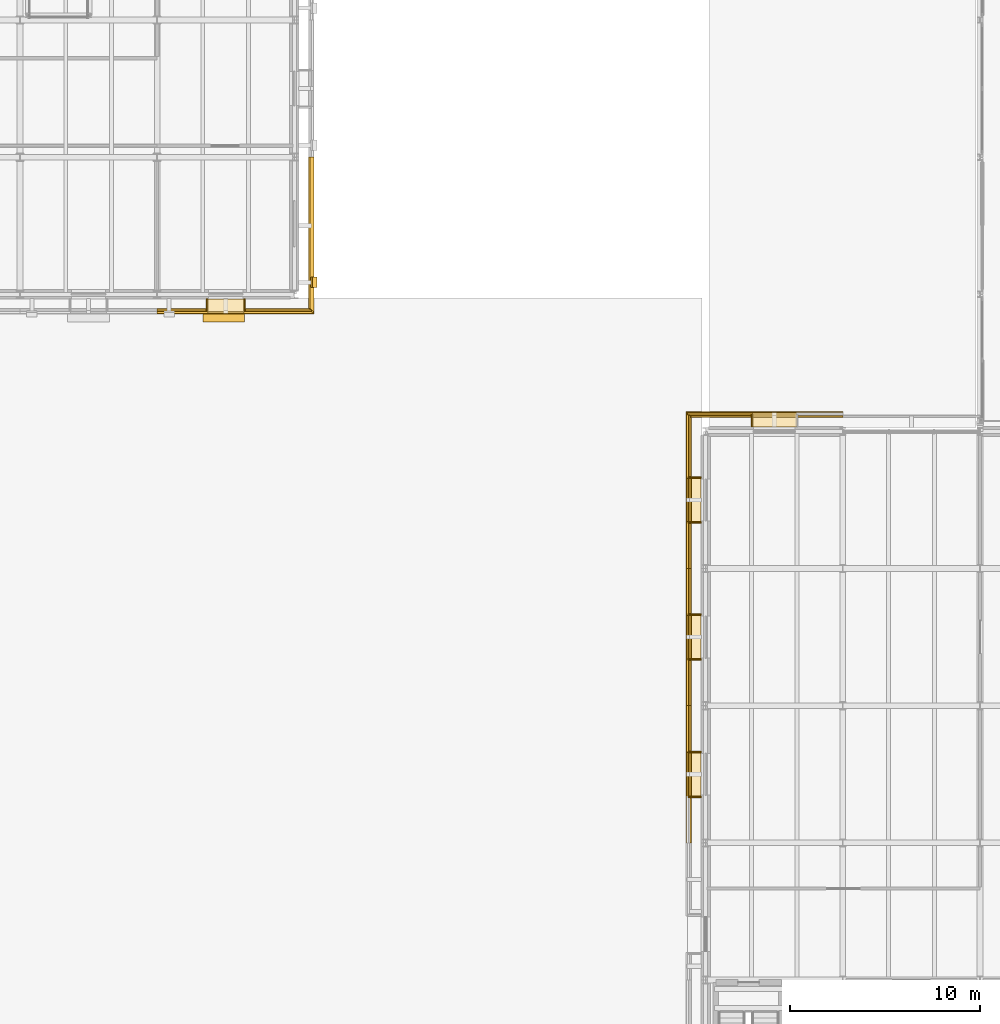
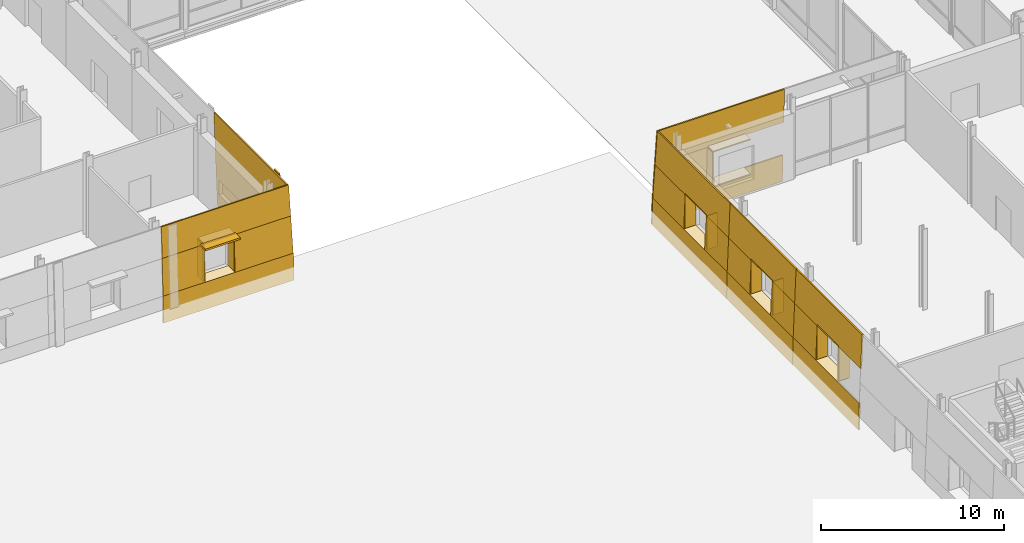
# One storey, part 106 of 120: 39 coverings, 1 shading device.
"""IFC4 building model written with IfcOpenShell, lengths in metres."""

from ifc_helpers import new_model, si_unit, direction, frame, origin, origin_2d, place, context, subcontext, project, spatial, polyline, rectangle, outline, extrude, material, layer, layer_set, type_object, element, save


model = new_model("IFC4")

# Units and contexts
model_context = context("Model", 3, precision=1e-05, world=origin(), true_north=direction((0.0, 1.0)))
body_context = subcontext(model_context, "Body", "Model", "MODEL_VIEW")
ifc_project = project(units=[si_unit("LENGTHUNIT", "METRE"), si_unit("AREAUNIT", "SQUARE_METRE"), si_unit("VOLUMEUNIT", "CUBIC_METRE"), si_unit("PLANEANGLEUNIT", "RADIAN"), si_unit("MASSUNIT", "GRAM", prefix="KILO")], contexts=[model_context])

# Site, building, storey
site_placement = place(None, origin())
site = spatial("IfcSite", under=ifc_project, at=site_placement, CompositionType="ELEMENT")
building_placement = place(site_placement, origin())
building = spatial("IfcBuilding", under=site, at=building_placement, Name="Narikvali Park Central Library", CompositionType="ELEMENT")
storey_placement = place(building_placement, origin())
storey = spatial("IfcBuildingStorey", under=building, at=storey_placement, Name="L00", CompositionType="ELEMENT", Elevation=0.0)

# Coverings
ifc_material_1 = material(Name="White Honed Limestone Cladding", Category="masonry")
ifc_layer_1 = layer(ifc_material_1, 0.0849609375, Name="White Honed Limestone Cladding")
ifc_layer_set_1 = layer_set([ifc_layer_1], Name="White Honed Limestone Cladding")
covering_type_1 = type_object("IfcCoveringType", Name="Battered White Limestone Facade Cladding Panel", PredefinedType="CLADDING", material=ifc_layer_set_1)
covering_1_placement = place(storey_placement, frame((93.60009765625, 56.56005859375, -0.8798828125), z_axis=(0.0, -0.999788378597, 0.020571777337), x_axis=(1.0, 0.0, 0.0)))
element("IfcCovering", 1, at=covering_1_placement, inside=storey, type_object=covering_type_1, Name="V1 L00 S Battered Limestone Spandrel B05", PredefinedType="CLADDING", context=body_context, shape_type="SweptSolid", body=[
    extrude(outline(polyline([(0.0, 0.0), (8.239990234375, 0.0), (8.203125, 1.7801618766042833), (0.0, 1.7801618766042833), (0.0, 0.0)])), origin(), (0.0, 0.0, -1.0), 0.0849609375),
])
covering_2_placement = place(storey_placement, frame((93.60009765625, 56.697021484375, 3.35009765625), z_axis=(0.0, -0.99916170734, 0.040937544941), x_axis=(1.0, 0.0, 0.0)))
element("IfcCovering", 2, at=covering_2_placement, inside=storey, type_object=covering_type_1, Name="V1 L00 S Battered Limestone Lintel B05", PredefinedType="CLADDING", context=body_context, shape_type="SweptSolid", body=[
    extrude(outline(polyline([(0.0, 0.0), (8.102783203125, 0.0), (8.018798828125, 2.0515244654015494), (0.0, 2.0515244654015494), (0.0, 0.0)])), origin(), (0.0, 0.0, -1.0), 0.0849609375),
])
covering_3_placement = place(storey_placement, frame((93.60009765625, 56.5966796875, 0.89990234375), z_axis=(0.0, -0.999162496768, 0.040918272835), x_axis=(1.0, 0.0, 0.0)))
element("IfcCovering", 3, at=covering_3_placement, inside=storey, type_object=covering_type_1, Name="V1 L00 S Battered Limestone Jamb Pier L B05", PredefinedType="CLADDING", context=body_context, shape_type="SweptSolid", body=[
    extrude(outline(polyline([(0.0, 0.0), (2.659912109375, 0.0), (2.659912109375, 2.4522490790286935), (0.0, 2.4522490790286935), (0.0, 0.0)])), origin(), (0.0, 0.0, -1.0), 0.0849609375),
])
covering_4_placement = place(storey_placement, frame((98.139892578125, 56.5966796875, 0.89990234375), z_axis=(0.0, -0.999162496768, 0.040918272835), x_axis=(1.0, 0.0, 0.0)))
element("IfcCovering", 4, at=covering_4_placement, inside=storey, type_object=covering_type_1, Name="V1 L00 S Battered Limestone Jamb Pier R B05", PredefinedType="CLADDING", context=body_context, shape_type="SweptSolid", body=[
    extrude(outline(polyline([(0.0, 0.0), (3.663330078125, 0.0), (3.56298828125, 2.452249079028694), (0.0, 2.452249079028694), (0.0, 0.0)])), origin(), (0.0, 0.0, -1.0), 0.0849609375),
])
covering_5_placement = place(storey_placement, frame((101.97998046875, 57.949951171875, 0.0), z_axis=(0.999163953268, 0.0, 0.040882691821), x_axis=(0.0, 1.0, 0.0)))
element("IfcCovering", 5, at=covering_5_placement, inside=storey, type_object=covering_type_1, Name="V1 L00 E Classical Limestone Pilaster B01", PredefinedType="CLADDING", context=body_context, shape_type="SweptSolid", body=[
    extrude(outline(polyline([(0.0, 0.0), (0.550048828125, 0.0), (0.550048828125, 5.40442069200982), (0.0, 5.40442069200982), (0.0, 0.0)])), origin(), (0.0, 0.0, -1.0), 0.0849609375),
])
covering_6_placement = place(storey_placement, frame((101.840087890625, 56.64501953125, -0.8798828125), z_axis=(0.999380254962, 0.0, 0.035200937369), x_axis=(0.0, 1.0, 0.0)))
element("IfcCovering", 6, at=covering_6_placement, inside=storey, type_object=covering_type_1, Name="V1 L00 E Battered Limestone Panel B01", PredefinedType="CLADDING", context=body_context, shape_type="SweptSolid", body=[
    extrude(outline(polyline([(0.0, 0.0), (8.155029296875, 0.0), (8.155029296875, 6.283679435399031), (0.220947265625, 6.283679435399031), (0.0, 0.0)])), origin(), (0.0, 0.0, -1.0), 0.0849609375),
])
covering_7_placement = place(storey_placement, frame((129.60009765625, 51.43994140625, -0.8798828125), z_axis=(0.0, 0.999788378597, 0.020571777337), x_axis=(-1.0, 0.0, 0.0)))
element("IfcCovering", 7, at=covering_7_placement, inside=storey, type_object=covering_type_1, Name="V6 L00 N Battered Limestone Spandrel B06", PredefinedType="CLADDING", context=body_context, shape_type="SweptSolid", body=[
    extrude(outline(polyline([(0.0, 0.0), (8.239990234375, 0.0), (8.203369140625, 1.7801618766042833), (0.0, 1.7801618766042833), (0.0, 0.0)])), origin(), (0.0, 0.0, -1.0), 0.0849609375),
])
covering_8_placement = place(storey_placement, frame((129.60009765625, 51.31103515625, 3.14990234375), z_axis=(0.0, 0.999164352475, 0.040872934124), x_axis=(-1.0, 0.0, 0.0)))
element("IfcCovering", 8, at=covering_8_placement, inside=storey, type_object=covering_type_1, Name="V6 L00 N Battered Limestone Lintel B06", PredefinedType="CLADDING", context=body_context, shape_type="SweptSolid", body=[
    extrude(outline(polyline([(0.0, 0.0), (8.111083984375, 0.0), (8.01904296875, 2.2518817794363186), (0.0, 2.2518817794363186), (0.0, 0.0)])), origin(), (0.0, 0.0, -1.0), 0.0849609375),
])
covering_9_placement = place(storey_placement, frame((124.860107421875, 51.4033203125, 0.89990234375), z_axis=(0.0, 0.999159919044, 0.040981168555), x_axis=(-1.0, 0.0, 0.0)))
element("IfcCovering", 9, at=covering_9_placement, inside=storey, type_object=covering_type_1, Name="V6 L00 N Battered Limestone Jamb Pier R B06", PredefinedType="CLADDING", context=body_context, shape_type="SweptSolid", body=[
    extrude(outline(polyline([(0.0, 0.0), (3.46337890625, 0.0), (3.37109375, 2.2518917713922413), (0.0, 2.2518917713922413), (0.0, 0.0)])), origin(), (0.0, 0.0, -1.0), 0.0849609375),
])
covering_10_placement = place(storey_placement, frame((121.360107421875, 51.35498046875, -0.8798828125), z_axis=(-0.999788378597, 0.0, 0.020571777337), x_axis=(0.0, -1.0, 0.0)))
element("IfcCovering", 10, at=covering_10_placement, inside=storey, type_object=covering_type_1, Name="V6 L00 W Battered Limestone Spandrel B01", PredefinedType="CLADDING", context=body_context, shape_type="SweptSolid", body=[
    extrude(outline(polyline([(0.0, 0.0), (8.155029296875, 0.0), (8.155029296875, 1.7801618766042833), (0.036865234375, 1.7801618766042833), (0.0, 0.0)])), origin(), (0.0, 0.0, -1.0), 0.0849609375),
])
covering_11_placement = place(storey_placement, frame((121.489013671875, 51.22607421875, 3.14990234375), z_axis=(-0.999164352475, 0.0, 0.040872934124), x_axis=(0.0, -1.0, 0.0)))
element("IfcCovering", 11, at=covering_11_placement, inside=storey, type_object=covering_type_1, Name="V6 L00 W Battered Limestone Lintel B01", PredefinedType="CLADDING", context=body_context, shape_type="SweptSolid", body=[
    extrude(outline(polyline([(0.0, 0.0), (8.026123046875, 0.0), (8.026123046875, 2.251881779436319), (0.092041015625, 2.251881779436319), (0.0, 0.0)])), origin(), (0.0, 0.0, -1.0), 0.0849609375),
])
covering_12_placement = place(storey_placement, frame((121.396728515625, 51.318115234375, 0.89990234375), z_axis=(-0.999159919044, 0.0, 0.040981168555), x_axis=(0.0, -1.0, 0.0)))
element("IfcCovering", 12, at=covering_12_placement, inside=storey, type_object=covering_type_1, Name="V6 L00 W Battered Limestone Jamb Pier L B01", PredefinedType="CLADDING", context=body_context, shape_type="SweptSolid", body=[
    extrude(outline(polyline([(0.0, 0.0), (3.378173828125, 0.0), (3.378173828125, 2.2518917713922413), (0.092041015625, 2.2518917713922413), (0.0, 0.0)])), origin(), (0.0, 0.0, -1.0), 0.0849609375),
])
covering_13_placement = place(storey_placement, frame((121.396728515625, 45.659912109375, 0.89990234375), z_axis=(-0.999159919044, 0.0, 0.040981168555), x_axis=(0.0, -1.0, 0.0)))
element("IfcCovering", 13, at=covering_13_placement, inside=storey, type_object=covering_type_1, Name="V6 L00 W Battered Limestone Jamb Pier R B01", PredefinedType="CLADDING", context=body_context, shape_type="SweptSolid", body=[
    extrude(outline(polyline([(0.0, 0.0), (2.4599609375, 0.0), (2.4599609375, 2.2518917713922413), (0.0, 2.2518917713922413), (0.0, 0.0)])), origin(), (0.0, 0.0, -1.0), 0.0849609375),
])
covering_14_placement = place(storey_placement, frame((121.360107421875, 43.199951171875, -0.8798828125), z_axis=(-0.999788378597, 0.0, 0.020571777337), x_axis=(0.0, -1.0, 0.0)))
element("IfcCovering", 14, at=covering_14_placement, inside=storey, type_object=covering_type_1, Name="V6 L00 W Battered Limestone Spandrel B02", PredefinedType="CLADDING", context=body_context, shape_type="SweptSolid", body=[
    extrude(outline(polyline([(0.0, 0.0), (7.199951171875, 0.0), (7.199951171875, 1.7801618766042835), (0.0, 1.7801618766042835), (0.0, 0.0)])), origin(), (0.0, 0.0, -1.0), 0.0849609375),
])
covering_15_placement = place(storey_placement, frame((121.489013671875, 43.199951171875, 3.14990234375), z_axis=(-0.999164352475, 0.0, 0.040872934124), x_axis=(0.0, -1.0, 0.0)))
element("IfcCovering", 15, at=covering_15_placement, inside=storey, type_object=covering_type_1, Name="V6 L00 W Battered Limestone Lintel B02", PredefinedType="CLADDING", context=body_context, shape_type="SweptSolid", body=[
    extrude(outline(polyline([(0.0, 0.0), (7.199951171875, 0.0), (7.199951171875, 2.2518817794363186), (0.0, 2.2518817794363186), (0.0, 0.0)])), origin(), (0.0, 0.0, -1.0), 0.0849609375),
])
for number, where, z_axis, x_axis, name in (
    (16, (121.396728515625, 43.199951171875, 0.89990234375), (-0.999159919044, 0.0, 0.040981168555), (0.0, -1.0, 0.0), "V6 L00 W Battered Limestone Jamb Pier L B02"),
    (17, (121.396728515625, 38.4599609375, 0.89990234375), (-0.999159919044, 0.0, 0.040981168555), (0.0, -1.0, 0.0), "V6 L00 W Battered Limestone Jamb Pier R B02"),
):
    element("IfcCovering", number, at=place(storey_placement, frame(where, z_axis=z_axis, x_axis=x_axis)), inside=storey, type_object=covering_type_1, Name=name, PredefinedType="CLADDING", context=body_context, shape_type="SweptSolid", body=[
        extrude(outline(polyline([(0.0, 0.0), (2.4599609375, 0.0), (2.4599609375, 2.2518917713922413), (0.0, 2.2518917713922413), (0.0, 0.0)])), origin(), (0.0, 0.0, -1.0), 0.0849609375),
    ])
covering_16_placement = place(storey_placement, frame((121.360107421875, 36.0, -0.8798828125), z_axis=(-0.999788378597, 0.0, 0.020571777337), x_axis=(0.0, -1.0, 0.0)))
element("IfcCovering", 18, at=covering_16_placement, inside=storey, type_object=covering_type_1, Name="V6 L00 W Battered Limestone Spandrel B03", PredefinedType="CLADDING", context=body_context, shape_type="SweptSolid", body=[
    extrude(outline(polyline([(0.0, 0.0), (7.199951171875, 0.0), (7.199951171875, 1.7801618766042835), (0.0, 1.7801618766042835), (0.0, 0.0)])), origin(), (0.0, 0.0, -1.0), 0.0849609375),
])
covering_17_placement = place(storey_placement, frame((121.489013671875, 36.0, 3.14990234375), z_axis=(-0.999164352475, 0.0, 0.040872934124), x_axis=(0.0, -1.0, 0.0)))
element("IfcCovering", 19, at=covering_17_placement, inside=storey, type_object=covering_type_1, Name="V6 L00 W Battered Limestone Lintel B03", PredefinedType="CLADDING", context=body_context, shape_type="SweptSolid", body=[
    extrude(outline(polyline([(0.0, 0.0), (7.199951171875, 0.0), (7.199951171875, 2.2518817794363186), (0.0, 2.2518817794363186), (0.0, 0.0)])), origin(), (0.0, 0.0, -1.0), 0.0849609375),
])
covering_18_placement = place(storey_placement, frame((121.396728515625, 36.0, 0.89990234375), z_axis=(-0.999159919044, 0.0, 0.040981168555), x_axis=(0.0, -1.0, 0.0)))
element("IfcCovering", 20, at=covering_18_placement, inside=storey, type_object=covering_type_1, Name="V6 L00 W Battered Limestone Jamb Pier L B03", PredefinedType="CLADDING", context=body_context, shape_type="SweptSolid", body=[
    extrude(outline(polyline([(0.0, 0.0), (2.4599609375, 0.0), (2.4599609375, 2.2518917713922413), (0.0, 2.2518917713922413), (0.0, 0.0)])), origin(), (0.0, 0.0, -1.0), 0.0849609375),
])

# Shading device
ifc_material_2 = material(Name="Anodised Bronze Aluminium", Category="aluminium")
ifc_layer_2 = layer(ifc_material_2, 0.1201171875, Name="Anodised Bronze Aluminium")
ifc_layer_set_2 = layer_set([ifc_layer_2], Name="Anodised Bronze Aluminium")
shading_device_type = type_object("IfcShadingDeviceType", Name="Bronze Classical Cornice Sun Brise-Soleil 650", PredefinedType="SHUTTER", material=ifc_layer_set_2)
shading_device_placement = place(storey_placement, frame((97.09765625, 56.45703125, 3.349853515625), z_axis=(0.0, 0.0, 1.0), x_axis=(1.0, 0.0, 0.0)))
element("IfcShadingDevice", 21, at=shading_device_placement, inside=storey, type_object=shading_device_type, Name="V1 L00 Classical Bronze Brise-Soleil 05", PredefinedType="SHUTTER", context=body_context, shape_type="SweptSolid", body=[
    extrude(rectangle(XDim=2.199951171875, YDim=0.64990234375, at=origin_2d()), origin(), (0.0, 0.0, 1.0), 0.1201171875),
])

# Coverings
ifc_layer_3 = layer(ifc_material_1, 0.080078125, Name="White Honed Limestone Cladding")
ifc_layer_set_3 = layer_set([ifc_layer_3], Name="White Honed Limestone Cladding")
covering_type_2 = type_object("IfcCoveringType", Name="Deep Carved White Limestone Window Reveal", PredefinedType="CLADDING", material=ifc_layer_set_3)
covering_19_placement = place(storey_placement, frame((0.0, 0.0, 3.35009765625)))
element("IfcCovering", 22, at=covering_19_placement, inside=storey, type_object=covering_type_2, Name="Deep Stone Reveal Head V1-RVL-L00-S-B05", PredefinedType="CLADDING", context=body_context, shape_type="SweptSolid", body=[
    extrude(outline(polyline([(96.219970703125, 57.35498046875), (98.179931640625, 57.35498046875), (98.179931640625, 56.697021484375), (96.219970703125, 56.697021484375), (96.219970703125, 57.35498046875)])), origin(), (0.0, 0.0, 1.0), 0.079833984375),
])
covering_20_placement = place(storey_placement, frame((0.0, 0.0, 0.820068359375)))
element("IfcCovering", 23, at=covering_20_placement, inside=storey, type_object=covering_type_2, Name="Deep Stone Reveal Sill V1-RVL-L00-S-B05", PredefinedType="CLADDING", context=body_context, shape_type="SweptSolid", body=[
    extrude(outline(polyline([(96.219970703125, 57.35498046875), (98.179931640625, 57.35498046875), (98.179931640625, 56.5966796875), (96.219970703125, 56.5966796875), (96.219970703125, 57.35498046875)])), origin(), (0.0, 0.0, 1.0), 0.079833984375),
])
covering_21_placement = place(storey_placement, frame((0.0, 0.0, 0.89990234375)))
element("IfcCovering", 24, at=covering_21_placement, inside=storey, type_object=covering_type_2, Name="Deep Stone Reveal Jamb L V1-RVL-L00-S-B05", PredefinedType="CLADDING", context=body_context, shape_type="SweptSolid", body=[
    extrude(outline(polyline([(96.179931640625, 57.35498046875), (96.260009765625, 57.35498046875), (96.260009765625, 56.697021484375), (96.179931640625, 56.697021484375), (96.179931640625, 57.35498046875)])), origin(), (0.0, 0.0, 1.0), 2.4501953125),
])
covering_22_placement = place(storey_placement, frame((0.0, 0.0, 0.89990234375)))
element("IfcCovering", 25, at=covering_22_placement, inside=storey, type_object=covering_type_2, Name="Deep Stone Reveal Jamb R V1-RVL-L00-S-B05", PredefinedType="CLADDING", context=body_context, shape_type="SweptSolid", body=[
    extrude(outline(polyline([(98.139892578125, 57.35498046875), (98.219970703125, 57.35498046875), (98.219970703125, 56.697021484375), (98.139892578125, 56.697021484375), (98.139892578125, 57.35498046875)])), origin(), (0.0, 0.0, 1.0), 2.4501953125),
])
covering_23_placement = place(storey_placement, frame((0.0, 0.0, 3.14990234375)))
element("IfcCovering", 26, at=covering_23_placement, inside=storey, type_object=covering_type_2, Name="Deep Stone Reveal Head V6-RVL-L00-N-B06", PredefinedType="CLADDING", context=body_context, shape_type="SweptSolid", body=[
    extrude(outline(polyline([(127.179931640625, 50.64501953125), (124.820068359375, 50.64501953125), (124.820068359375, 51.31103515625), (127.179931640625, 51.31103515625), (127.179931640625, 50.64501953125)])), origin(), (0.0, 0.0, 1.0), 0.080078125),
])
covering_24_placement = place(storey_placement, frame((0.0, 0.0, 0.820068359375)))
element("IfcCovering", 27, at=covering_24_placement, inside=storey, type_object=covering_type_2, Name="Deep Stone Reveal Sill V6-RVL-L00-N-B06", PredefinedType="CLADDING", context=body_context, shape_type="SweptSolid", body=[
    extrude(outline(polyline([(127.179931640625, 50.64501953125), (124.820068359375, 50.64501953125), (124.820068359375, 51.4033203125), (127.179931640625, 51.4033203125), (127.179931640625, 50.64501953125)])), origin(), (0.0, 0.0, 1.0), 0.079833984375),
])
covering_25_placement = place(storey_placement, frame((0.0, 0.0, 0.89990234375)))
element("IfcCovering", 28, at=covering_25_placement, inside=storey, type_object=covering_type_2, Name="Deep Stone Reveal Jamb R V6-RVL-L00-N-B06", PredefinedType="CLADDING", context=body_context, shape_type="SweptSolid", body=[
    extrude(outline(polyline([(124.860107421875, 50.64501953125), (124.780029296875, 50.64501953125), (124.780029296875, 51.31103515625), (124.860107421875, 51.31103515625), (124.860107421875, 50.64501953125)])), origin(), (0.0, 0.0, 1.0), 2.25),
])
covering_26_placement = place(storey_placement, frame((0.0, 0.0, 3.14990234375)))
element("IfcCovering", 29, at=covering_26_placement, inside=storey, type_object=covering_type_2, Name="Deep Stone Reveal Head V6-RVL-L00-W-B01", PredefinedType="CLADDING", context=body_context, shape_type="SweptSolid", body=[
    extrude(outline(polyline([(122.155029296875, 47.97998046875), (122.155029296875, 45.6201171875), (121.489013671875, 45.6201171875), (121.489013671875, 47.97998046875), (122.155029296875, 47.97998046875)])), origin(), (0.0, 0.0, 1.0), 0.080078125),
])
covering_27_placement = place(storey_placement, frame((0.0, 0.0, 0.820068359375)))
element("IfcCovering", 30, at=covering_27_placement, inside=storey, type_object=covering_type_2, Name="Deep Stone Reveal Sill V6-RVL-L00-W-B01", PredefinedType="CLADDING", context=body_context, shape_type="SweptSolid", body=[
    extrude(outline(polyline([(122.155029296875, 47.97998046875), (122.155029296875, 45.6201171875), (121.396728515625, 45.6201171875), (121.396728515625, 47.97998046875), (122.155029296875, 47.97998046875)])), origin(), (0.0, 0.0, 1.0), 0.079833984375),
])
covering_28_placement = place(storey_placement, frame((0.0, 0.0, 0.89990234375)))
element("IfcCovering", 31, at=covering_28_placement, inside=storey, type_object=covering_type_2, Name="Deep Stone Reveal Jamb L V6-RVL-L00-W-B01", PredefinedType="CLADDING", context=body_context, shape_type="SweptSolid", body=[
    extrude(outline(polyline([(122.155029296875, 48.02001953125), (122.155029296875, 47.93994140625), (121.489013671875, 47.93994140625), (121.489013671875, 48.02001953125), (122.155029296875, 48.02001953125)])), origin(), (0.0, 0.0, 1.0), 2.25),
])
covering_29_placement = place(storey_placement, frame((0.0, 0.0, 0.89990234375)))
element("IfcCovering", 32, at=covering_29_placement, inside=storey, type_object=covering_type_2, Name="Deep Stone Reveal Jamb R V6-RVL-L00-W-B01", PredefinedType="CLADDING", context=body_context, shape_type="SweptSolid", body=[
    extrude(outline(polyline([(122.155029296875, 45.659912109375), (122.155029296875, 45.580078125), (121.489013671875, 45.580078125), (121.489013671875, 45.659912109375), (122.155029296875, 45.659912109375)])), origin(), (0.0, 0.0, 1.0), 2.25),
])
covering_30_placement = place(storey_placement, frame((0.0, 0.0, 3.14990234375)))
element("IfcCovering", 33, at=covering_30_placement, inside=storey, type_object=covering_type_2, Name="Deep Stone Reveal Head V6-RVL-L00-W-B02", PredefinedType="CLADDING", context=body_context, shape_type="SweptSolid", body=[
    extrude(outline(polyline([(122.155029296875, 40.780029296875), (122.155029296875, 38.419921875), (121.489013671875, 38.419921875), (121.489013671875, 40.780029296875), (122.155029296875, 40.780029296875)])), origin(), (0.0, 0.0, 1.0), 0.080078125),
])
covering_31_placement = place(storey_placement, frame((0.0, 0.0, 0.820068359375)))
element("IfcCovering", 34, at=covering_31_placement, inside=storey, type_object=covering_type_2, Name="Deep Stone Reveal Sill V6-RVL-L00-W-B02", PredefinedType="CLADDING", context=body_context, shape_type="SweptSolid", body=[
    extrude(outline(polyline([(122.155029296875, 40.780029296875), (122.155029296875, 38.419921875), (121.396728515625, 38.419921875), (121.396728515625, 40.780029296875), (122.155029296875, 40.780029296875)])), origin(), (0.0, 0.0, 1.0), 0.079833984375),
])
covering_32_placement = place(storey_placement, frame((0.0, 0.0, 0.89990234375)))
element("IfcCovering", 35, at=covering_32_placement, inside=storey, type_object=covering_type_2, Name="Deep Stone Reveal Jamb L V6-RVL-L00-W-B02", PredefinedType="CLADDING", context=body_context, shape_type="SweptSolid", body=[
    extrude(outline(polyline([(122.155029296875, 40.820068359375), (122.155029296875, 40.739990234375), (121.489013671875, 40.739990234375), (121.489013671875, 40.820068359375), (122.155029296875, 40.820068359375)])), origin(), (0.0, 0.0, 1.0), 2.25),
])
covering_33_placement = place(storey_placement, frame((0.0, 0.0, 0.89990234375)))
element("IfcCovering", 36, at=covering_33_placement, inside=storey, type_object=covering_type_2, Name="Deep Stone Reveal Jamb R V6-RVL-L00-W-B02", PredefinedType="CLADDING", context=body_context, shape_type="SweptSolid", body=[
    extrude(outline(polyline([(122.155029296875, 38.4599609375), (122.155029296875, 38.3798828125), (121.489013671875, 38.3798828125), (121.489013671875, 38.4599609375), (122.155029296875, 38.4599609375)])), origin(), (0.0, 0.0, 1.0), 2.25),
])
covering_34_placement = place(storey_placement, frame((0.0, 0.0, 3.14990234375)))
element("IfcCovering", 37, at=covering_34_placement, inside=storey, type_object=covering_type_2, Name="Deep Stone Reveal Head V6-RVL-L00-W-B03", PredefinedType="CLADDING", context=body_context, shape_type="SweptSolid", body=[
    extrude(outline(polyline([(122.155029296875, 33.580078125), (122.155029296875, 31.219970703125), (121.489013671875, 31.219970703125), (121.489013671875, 33.580078125), (122.155029296875, 33.580078125)])), origin(), (0.0, 0.0, 1.0), 0.080078125),
])
covering_35_placement = place(storey_placement, frame((0.0, 0.0, 0.820068359375)))
element("IfcCovering", 38, at=covering_35_placement, inside=storey, type_object=covering_type_2, Name="Deep Stone Reveal Sill V6-RVL-L00-W-B03", PredefinedType="CLADDING", context=body_context, shape_type="SweptSolid", body=[
    extrude(outline(polyline([(122.155029296875, 33.580078125), (122.155029296875, 31.219970703125), (121.396728515625, 31.219970703125), (121.396728515625, 33.580078125), (122.155029296875, 33.580078125)])), origin(), (0.0, 0.0, 1.0), 0.079833984375),
])
covering_36_placement = place(storey_placement, frame((0.0, 0.0, 0.89990234375)))
element("IfcCovering", 39, at=covering_36_placement, inside=storey, type_object=covering_type_2, Name="Deep Stone Reveal Jamb L V6-RVL-L00-W-B03", PredefinedType="CLADDING", context=body_context, shape_type="SweptSolid", body=[
    extrude(outline(polyline([(122.155029296875, 33.6201171875), (122.155029296875, 33.5400390625), (121.489013671875, 33.5400390625), (121.489013671875, 33.6201171875), (122.155029296875, 33.6201171875)])), origin(), (0.0, 0.0, 1.0), 2.25),
])
covering_37_placement = place(storey_placement, frame((0.0, 0.0, 0.89990234375)))
element("IfcCovering", 40, at=covering_37_placement, inside=storey, type_object=covering_type_2, Name="Deep Stone Reveal Jamb R V6-RVL-L00-W-B03", PredefinedType="CLADDING", context=body_context, shape_type="SweptSolid", body=[
    extrude(outline(polyline([(122.155029296875, 31.260009765625), (122.155029296875, 31.179931640625), (121.489013671875, 31.179931640625), (121.489013671875, 31.260009765625), (122.155029296875, 31.260009765625)])), origin(), (0.0, 0.0, 1.0), 2.25),
])

save(model, "model.ifc")
